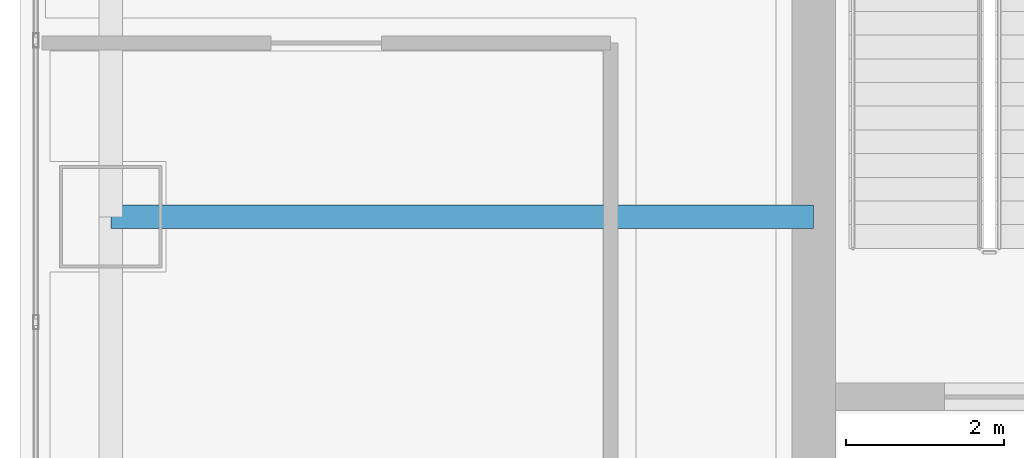
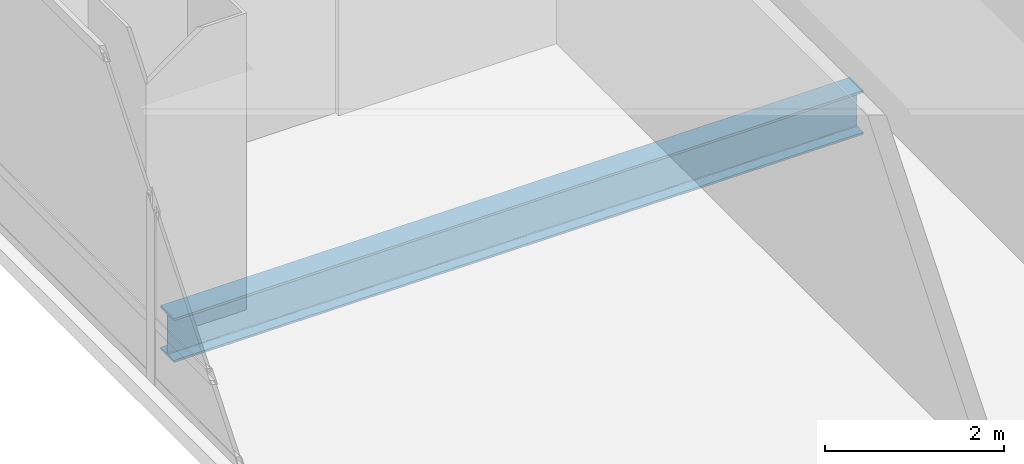
# One storey, part 5 of 39: 1 beam.
"""IFC4 building model written with IfcOpenShell, lengths in metres."""

from ifc_helpers import new_model, si_unit, direction, frame, origin, origin_2d, place, context, subcontext, project, spatial, i_section, extrude, material, material_profile, profile_set, type_object, element, save


model = new_model("IFC4")

# Units and contexts
model_context = context("Model", 3, precision=1e-05, world=origin(), true_north=direction((0.0, 1.0)))
body_context = subcontext(model_context, "Body", "Model", "MODEL_VIEW")
ifc_project = project(units=[si_unit("LENGTHUNIT", "METRE"), si_unit("AREAUNIT", "SQUARE_METRE"), si_unit("VOLUMEUNIT", "CUBIC_METRE"), si_unit("PLANEANGLEUNIT", "RADIAN"), si_unit("MASSUNIT", "GRAM", prefix="KILO")], contexts=[model_context])

# Site, building, storey
site_placement = place(None, origin())
site = spatial("IfcSite", under=ifc_project, at=site_placement, CompositionType="ELEMENT")
building_placement = place(site_placement, origin())
building = spatial("IfcBuilding", under=site, at=building_placement, Name="Punatoya Terracotta Tower", CompositionType="ELEMENT")
storey_placement = place(building_placement, frame((0.0, 0.0, 275.699951171875)))
storey = spatial("IfcBuildingStorey", under=building, at=storey_placement, Name="L65", CompositionType="ELEMENT", Elevation=275.699951171875)

# Beam
ifc_material = material(Name="Steel S355", Category="steel")
ifc_material_profile = material_profile(ifc_material, i_section(OverallWidth=0.300048828125, OverallDepth=0.60009765625, WebThickness=0.015380859375, FlangeThickness=0.030029296875, FilletRadius=0.01806640625, at=origin_2d()))
ifc_profile_set = profile_set([ifc_material_profile], Name="Steel S355")
beam_type = type_object("IfcBeamType", Name="BM-PRI-600", PredefinedType="BEAM", material=ifc_profile_set)
beam_placement = place(storey_placement, frame((-19.10009765625, -3.39990234375, -0.5), z_axis=(1.0, 0.0, 0.0), x_axis=(0.0, 1.0, 0.0)))
element("IfcBeam", 1, at=beam_placement, inside=storey, type_object=beam_type, Name="BM-L65-PR-WD", PredefinedType="BEAM", context=body_context, shape_type="SweptSolid", body=[
    extrude(i_section(OverallWidth=0.300048828125, OverallDepth=0.60009765625, WebThickness=0.015380859375, FlangeThickness=0.030029296875, FilletRadius=0.01806640625, at=origin_2d()), origin(), (0.0, 0.0, 1.0), 8.900146484375),
])

save(model, "model.ifc")
